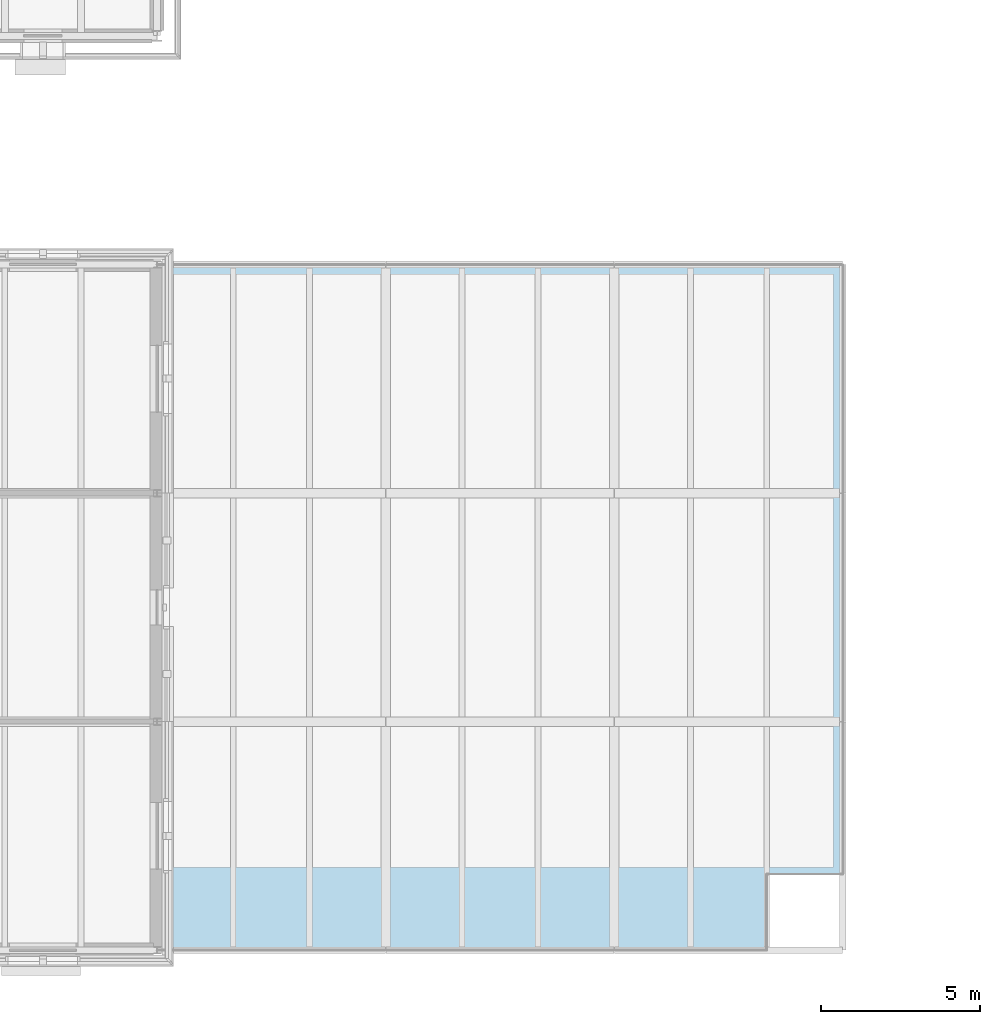
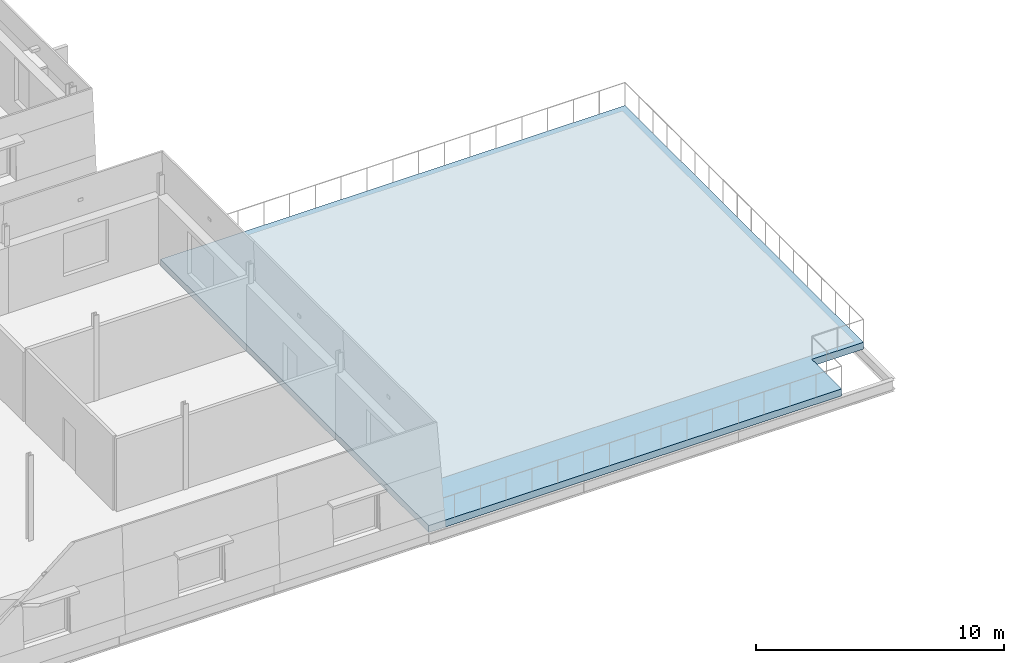
# One storey, part 44 of 115: 1 slab.
"""IFC4 building model written with IfcOpenShell, lengths in metres."""

from ifc_helpers import new_model, si_unit, direction, frame, origin, place, context, subcontext, project, spatial, polyline, outline, extrude, material, layer, layer_set, type_object, element, save


model = new_model("IFC4")

# Units and contexts
model_context = context("Model", 3, precision=1e-05, world=origin(), true_north=direction((0.0, 1.0)))
body_context = subcontext(model_context, "Body", "Model", "MODEL_VIEW")
ifc_project = project(units=[si_unit("LENGTHUNIT", "METRE"), si_unit("AREAUNIT", "SQUARE_METRE"), si_unit("VOLUMEUNIT", "CUBIC_METRE"), si_unit("PLANEANGLEUNIT", "RADIAN"), si_unit("MASSUNIT", "GRAM", prefix="KILO")], contexts=[model_context])

# Site, building, storey
site_placement = place(None, origin())
site = spatial("IfcSite", under=ifc_project, at=site_placement, CompositionType="ELEMENT")
building_placement = place(site_placement, origin())
building = spatial("IfcBuilding", under=site, at=building_placement, Name="Narikvali Park Central Library", CompositionType="ELEMENT")
storey_placement = place(building_placement, frame((0.0, 0.0, 10.199951171875)))
storey = spatial("IfcBuildingStorey", under=building, at=storey_placement, Name="L02", CompositionType="ELEMENT", Elevation=10.199951171875)

# Slab
ifc_material = material(Name="Concrete C35/45", Category="concrete")
ifc_layer = layer(ifc_material, 0.340087890625, Name="Concrete C35/45")
ifc_layer_set = layer_set([ifc_layer], Name="Concrete C35/45")
slab_type = type_object("IfcSlabType", Name="Planted Roof Garden Structural Deck 340", PredefinedType="ROOF", material=ifc_layer_set)
slab_placement = place(storey_placement, frame((0.0, 0.0, -0.33984375)))
element("IfcSlab", 1, at=slab_placement, inside=storey, type_object=slab_type, Name="V2 L02 Planted Roof Garden Deck", PredefinedType="ROOF", context=body_context, shape_type="SweptSolid", body=[
    extrude(outline(polyline([(21.60009765625, 0.0), (40.800048828125, 0.0), (40.800048828125, 2.39990234375), (43.199951171875, 2.39990234375), (43.199951171875, 21.60009765625), (21.60009765625, 21.60009765625), (21.60009765625, 0.0)])), origin(), (0.0, 0.0, 1.0), 0.33984375),
])

save(model, "model.ifc")
